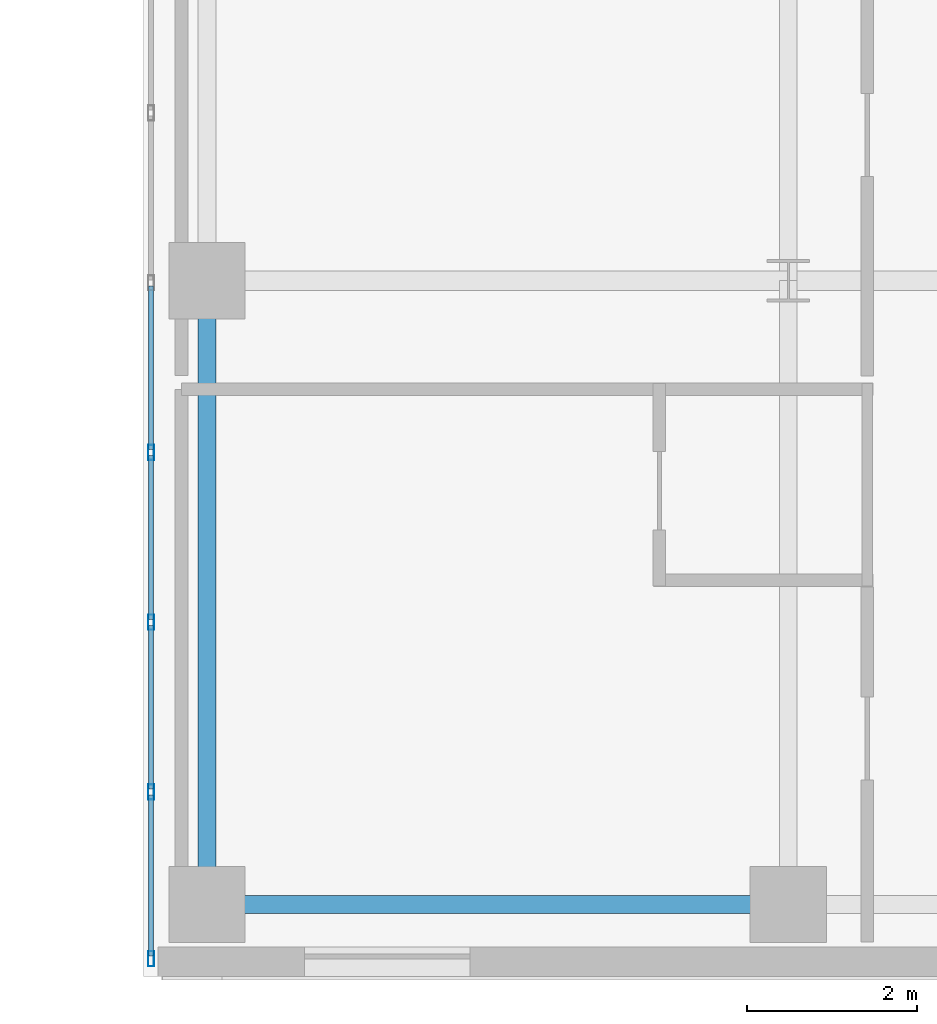
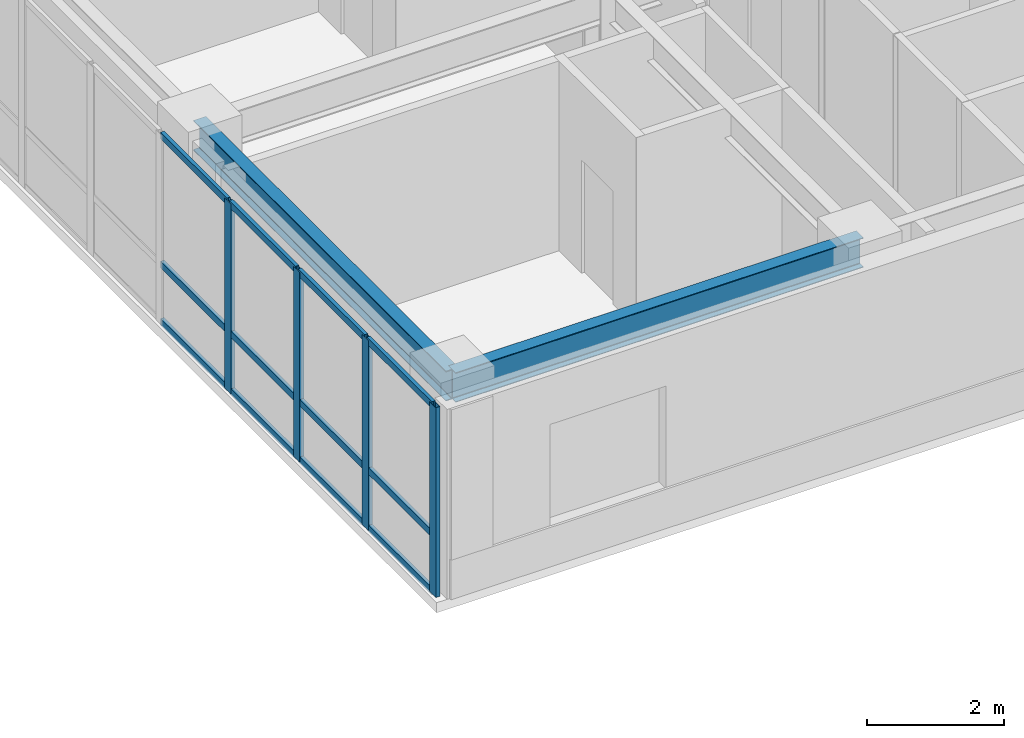
# One storey, part 7 of 25: 16 members, 2 beams, 1 element without a shape of its own.
"""IFC4 building model written with IfcOpenShell, lengths in metres."""

from ifc_helpers import new_model, si_unit, direction, frame, origin, origin_2d, place, context, subcontext, project, spatial, hollow_rectangle, i_section, extrude, source, transform, mapped, material, layer, layer_set, material_profile, profile_set, type_object, type_shapes, element, aggregate, save


model = new_model("IFC4")

# Units and contexts
model_context = context("Model", 3, precision=1e-05, world=origin(), true_north=direction((0.0, 1.0)))
body_context = subcontext(model_context, "Body", "Model", "MODEL_VIEW")
ifc_project = project(units=[si_unit("LENGTHUNIT", "METRE"), si_unit("AREAUNIT", "SQUARE_METRE"), si_unit("VOLUMEUNIT", "CUBIC_METRE"), si_unit("PLANEANGLEUNIT", "RADIAN"), si_unit("MASSUNIT", "GRAM", prefix="KILO")], contexts=[model_context])

# Site, building, storey
site_placement = place(None, origin())
site = spatial("IfcSite", under=ifc_project, at=site_placement, CompositionType="ELEMENT")
building_placement = place(site_placement, origin())
building = spatial("IfcBuilding", under=site, at=building_placement, Name="Tolvann Quenvar Hotel", CompositionType="ELEMENT")
storey_placement = place(building_placement, frame((0.0, 0.0, 111.550048828125)))
storey = spatial("IfcBuildingStorey", under=building, at=storey_placement, Name="L28", CompositionType="ELEMENT", Elevation=111.550048828125)

# Beams
ifc_material_1 = material(Name="Steel Grade 350", Category="steel")
ifc_material_profile_1 = material_profile(ifc_material_1, i_section(OverallWidth=0.208984375, OverallDepth=0.528076171875, WebThickness=0.009521484375, FlangeThickness=0.01318359375, FilletRadius=0.013916015625, at=origin_2d()), Name="530UB82")
ifc_profile_set_1 = profile_set([ifc_material_profile_1], Name="Steel Grade 350")
beam_type_1 = type_object("IfcBeamType", Name="BM_SPAND_530UB82", PredefinedType="SPANDREL", material=ifc_profile_set_1)
shared_shape_1 = source(origin(), body_context, "Body", "SweptSolid", [
    extrude(i_section(OverallWidth=0.208984375, OverallDepth=0.528076171875, WebThickness=0.009521484375, FlangeThickness=0.01318359375, FilletRadius=0.013916015625, at=origin_2d()), origin(), (0.0, 0.0, 1.0), 6.85009765625),
])
type_shapes(beam_type_1, [shared_shape_1])
beam_1_placement = place(storey_placement, frame((34.949951171875, 0.85009765625, 3.10595703125), z_axis=(1.0, 0.0, 0.0), x_axis=(0.0, 1.0, 0.0)))
element("IfcBeam", 1, at=beam_1_placement, inside=storey, type_object=beam_type_1, Name="BM-L28-EW-2-F2-H2", PredefinedType="SPANDREL", context=body_context, shape_type="MappedRepresentation", body=[
    mapped(shared_shape_1, transform((0.0, 0.0, 0.0), x_axis=(1.0, 0.0, 0.0), y_axis=(0.0, 1.0, 0.0), z_axis=(0.0, 0.0, 1.0), scale=1.0)),
])
ifc_material_profile_2 = material_profile(ifc_material_1, i_section(OverallWidth=0.208984375, OverallDepth=0.532958984375, WebThickness=0.01025390625, FlangeThickness=0.015625, FilletRadius=0.013916015625, at=origin_2d()), Name="530UB92")
ifc_profile_set_2 = profile_set([ifc_material_profile_2], Name="Steel Grade 350")
beam_type_2 = type_object("IfcBeamType", Name="BM_GIRD_530UB92", PredefinedType="BEAM", material=ifc_profile_set_2)
shared_shape_2 = source(origin(), body_context, "Body", "SweptSolid", [
    extrude(i_section(OverallWidth=0.208984375, OverallDepth=0.532958984375, WebThickness=0.01025390625, FlangeThickness=0.015625, FilletRadius=0.013916015625, at=origin_2d()), origin(), (0.0, 0.0, 1.0), 7.349853515625),
])
type_shapes(beam_type_2, [shared_shape_2])
beam_2_placement = place(storey_placement, frame((34.949951171875, 0.85009765625, 3.103515625), z_axis=(0.0, 1.0, 0.0), x_axis=(-1.0, 0.0, 0.0)))
element("IfcBeam", 2, at=beam_2_placement, inside=storey, type_object=beam_type_2, Name="BM-L28-NS-F2-F3", PredefinedType="BEAM", context=body_context, shape_type="MappedRepresentation", body=[
    mapped(shared_shape_2, transform((0.0, 0.0, 0.0), x_axis=(1.0, 0.0, 0.0), y_axis=(0.0, 1.0, 0.0), z_axis=(0.0, 0.0, 1.0), scale=1.0)),
])

# Curtain wall, members
ifc_material_2 = material(Name="Thermally broken anodised architectural aluminium 6063-T6 and laminated low-E glass", Category="aluminium")
ifc_layer = layer(ifc_material_2, 0.179931640625)
ifc_layer_set = layer_set([ifc_layer], Name="Thermally broken anodised architectural aluminium 6063-T6 and laminated low-E glass")
curtain_wall_type = type_object("IfcCurtainWallType", Name="CW_SYS_SLOT_03", PredefinedType="USERDEFINED", material=ifc_layer_set)
curtain_wall_placement = place(storey_placement, origin())
curtain_wall = element("IfcCurtainWall", 3, at=curtain_wall_placement, inside=storey, type_object=curtain_wall_type, Name="Curtain Wall CW-SLOT-03 (CWR-L28-E07)", ObjectType="UNITISED CURTAIN WALL", PredefinedType="USERDEFINED")
ifc_material_3 = material(Name="Anodised architectural aluminium 6063-T6 framing", Category="aluminium")
ifc_material_profile_3 = material_profile(ifc_material_3, hollow_rectangle(XDim=0.06005859375, YDim=0.1201171875, WallThickness=0.00341796875, at=origin_2d()), Name="120x60x3.5RHS")
ifc_profile_set_3 = profile_set([ifc_material_profile_3], Name="Anodised architectural aluminium 6063-T6 framing")
member_type_1 = type_object("IfcMemberType", Name="CW_TRAN_120x60", PredefinedType="USERDEFINED", material=ifc_profile_set_3)
shared_shape_3 = source(origin(), body_context, "Body", "SweptSolid", [
    extrude(hollow_rectangle(XDim=0.06005859375, YDim=0.1201171875, WallThickness=0.00341796875, at=origin_2d()), origin(), (0.0, 0.0, 1.0), 1.894775390625),
])
member_1_placement = place(storey_placement, frame((34.2900390625, 2.139892578125, 0.030029296875), z_axis=(0.0, -1.0, 0.0), x_axis=(1.0, 0.0, 0.0)))
member_1 = element("IfcMember", 4, at=member_1_placement, type_object=member_type_1, Name="CW-SLOT-03 transom 8.1", ObjectType="TRANSOM", PredefinedType="USERDEFINED", context=body_context, shape_type="MappedRepresentation", body=[
    mapped(shared_shape_3, transform((0.0, 0.0, 0.0), x_axis=(1.0, 0.0, 0.0), y_axis=(0.0, 1.0, 0.0), z_axis=(0.0, 0.0, 1.0), scale=1.0)),
])
member_2_placement = place(storey_placement, frame((34.2900390625, 2.139892578125, 1.050048828125), z_axis=(0.0, -1.0, 0.0), x_axis=(1.0, 0.0, 0.0)))
member_2 = element("IfcMember", 5, at=member_2_placement, type_object=member_type_1, Name="CW-SLOT-03 transom 8.2", ObjectType="TRANSOM", PredefinedType="USERDEFINED", context=body_context, shape_type="MappedRepresentation", body=[
    mapped(shared_shape_3, transform((0.0, 0.0, 0.0), x_axis=(1.0, 0.0, 0.0), y_axis=(0.0, 1.0, 0.0), z_axis=(0.0, 0.0, 1.0), scale=1.0)),
])
member_3_placement = place(storey_placement, frame((34.2900390625, 2.139892578125, 3.33984375), z_axis=(0.0, -1.0, 0.0), x_axis=(1.0, 0.0, 0.0)))
member_3 = element("IfcMember", 6, at=member_3_placement, type_object=member_type_1, Name="CW-SLOT-03 transom 8.3", ObjectType="TRANSOM", PredefinedType="USERDEFINED", context=body_context, shape_type="MappedRepresentation", body=[
    mapped(shared_shape_3, transform((0.0, 0.0, 0.0), x_axis=(1.0, 0.0, 0.0), y_axis=(0.0, 1.0, 0.0), z_axis=(0.0, 0.0, 1.0), scale=1.0)),
])
shared_shape_4 = source(origin(), body_context, "Body", "SweptSolid", [
    extrude(hollow_rectangle(XDim=0.06005859375, YDim=0.1201171875, WallThickness=0.00341796875, at=origin_2d()), origin(), (0.0, 0.0, 1.0), 1.929931640625),
])
type_shapes(member_type_1, [shared_shape_3, shared_shape_4])
member_4_placement = place(storey_placement, frame((34.2900390625, 8.139892578125, 0.030029296875), z_axis=(0.0, -1.0, 0.0), x_axis=(1.0, 0.0, 0.0)))
member_4 = element("IfcMember", 7, at=member_4_placement, type_object=member_type_1, Name="CW-SLOT-03 transom 5.1", ObjectType="TRANSOM", PredefinedType="USERDEFINED", context=body_context, shape_type="MappedRepresentation", body=[
    mapped(shared_shape_4, transform((0.0, 0.0, 0.0), x_axis=(1.0, 0.0, 0.0), y_axis=(0.0, 1.0, 0.0), z_axis=(0.0, 0.0, 1.0), scale=1.0)),
])
member_5_placement = place(storey_placement, frame((34.2900390625, 8.139892578125, 1.050048828125), z_axis=(0.0, -1.0, 0.0), x_axis=(1.0, 0.0, 0.0)))
member_5 = element("IfcMember", 8, at=member_5_placement, type_object=member_type_1, Name="CW-SLOT-03 transom 5.2", ObjectType="TRANSOM", PredefinedType="USERDEFINED", context=body_context, shape_type="MappedRepresentation", body=[
    mapped(shared_shape_4, transform((0.0, 0.0, 0.0), x_axis=(1.0, 0.0, 0.0), y_axis=(0.0, 1.0, 0.0), z_axis=(0.0, 0.0, 1.0), scale=1.0)),
])
member_6_placement = place(storey_placement, frame((34.2900390625, 8.139892578125, 3.33984375), z_axis=(0.0, -1.0, 0.0), x_axis=(1.0, 0.0, 0.0)))
member_6 = element("IfcMember", 9, at=member_6_placement, type_object=member_type_1, Name="CW-SLOT-03 transom 5.3", ObjectType="TRANSOM", PredefinedType="USERDEFINED", context=body_context, shape_type="MappedRepresentation", body=[
    mapped(shared_shape_4, transform((0.0, 0.0, 0.0), x_axis=(1.0, 0.0, 0.0), y_axis=(0.0, 1.0, 0.0), z_axis=(0.0, 0.0, 1.0), scale=1.0)),
])
member_7_placement = place(storey_placement, frame((34.2900390625, 6.139892578125, 0.030029296875), z_axis=(0.0, -1.0, 0.0), x_axis=(1.0, 0.0, 0.0)))
member_7 = element("IfcMember", 10, at=member_7_placement, type_object=member_type_1, Name="CW-SLOT-03 transom 6.1", ObjectType="TRANSOM", PredefinedType="USERDEFINED", context=body_context, shape_type="MappedRepresentation", body=[
    mapped(shared_shape_4, transform((0.0, 0.0, 0.0), x_axis=(1.0, 0.0, 0.0), y_axis=(0.0, 1.0, 0.0), z_axis=(0.0, 0.0, 1.0), scale=1.0)),
])
member_8_placement = place(storey_placement, frame((34.2900390625, 6.139892578125, 1.050048828125), z_axis=(0.0, -1.0, 0.0), x_axis=(1.0, 0.0, 0.0)))
member_8 = element("IfcMember", 11, at=member_8_placement, type_object=member_type_1, Name="CW-SLOT-03 transom 6.2", ObjectType="TRANSOM", PredefinedType="USERDEFINED", context=body_context, shape_type="MappedRepresentation", body=[
    mapped(shared_shape_4, transform((0.0, 0.0, 0.0), x_axis=(1.0, 0.0, 0.0), y_axis=(0.0, 1.0, 0.0), z_axis=(0.0, 0.0, 1.0), scale=1.0)),
])
member_9_placement = place(storey_placement, frame((34.2900390625, 6.139892578125, 3.33984375), z_axis=(0.0, -1.0, 0.0), x_axis=(1.0, 0.0, 0.0)))
member_9 = element("IfcMember", 12, at=member_9_placement, type_object=member_type_1, Name="CW-SLOT-03 transom 6.3", ObjectType="TRANSOM", PredefinedType="USERDEFINED", context=body_context, shape_type="MappedRepresentation", body=[
    mapped(shared_shape_4, transform((0.0, 0.0, 0.0), x_axis=(1.0, 0.0, 0.0), y_axis=(0.0, 1.0, 0.0), z_axis=(0.0, 0.0, 1.0), scale=1.0)),
])
member_10_placement = place(storey_placement, frame((34.2900390625, 4.139892578125, 0.030029296875), z_axis=(0.0, -1.0, 0.0), x_axis=(1.0, 0.0, 0.0)))
member_10 = element("IfcMember", 13, at=member_10_placement, type_object=member_type_1, Name="CW-SLOT-03 transom 7.1", ObjectType="TRANSOM", PredefinedType="USERDEFINED", context=body_context, shape_type="MappedRepresentation", body=[
    mapped(shared_shape_4, transform((0.0, 0.0, 0.0), x_axis=(1.0, 0.0, 0.0), y_axis=(0.0, 1.0, 0.0), z_axis=(0.0, 0.0, 1.0), scale=1.0)),
])
member_11_placement = place(storey_placement, frame((34.2900390625, 4.139892578125, 1.050048828125), z_axis=(0.0, -1.0, 0.0), x_axis=(1.0, 0.0, 0.0)))
member_11 = element("IfcMember", 14, at=member_11_placement, type_object=member_type_1, Name="CW-SLOT-03 transom 7.2", ObjectType="TRANSOM", PredefinedType="USERDEFINED", context=body_context, shape_type="MappedRepresentation", body=[
    mapped(shared_shape_4, transform((0.0, 0.0, 0.0), x_axis=(1.0, 0.0, 0.0), y_axis=(0.0, 1.0, 0.0), z_axis=(0.0, 0.0, 1.0), scale=1.0)),
])
member_12_placement = place(storey_placement, frame((34.2900390625, 4.139892578125, 3.33984375), z_axis=(0.0, -1.0, 0.0), x_axis=(1.0, 0.0, 0.0)))
member_12 = element("IfcMember", 15, at=member_12_placement, type_object=member_type_1, Name="CW-SLOT-03 transom 7.3", ObjectType="TRANSOM", PredefinedType="USERDEFINED", context=body_context, shape_type="MappedRepresentation", body=[
    mapped(shared_shape_4, transform((0.0, 0.0, 0.0), x_axis=(1.0, 0.0, 0.0), y_axis=(0.0, 1.0, 0.0), z_axis=(0.0, 0.0, 1.0), scale=1.0)),
])
ifc_material_profile_4 = material_profile(ifc_material_3, hollow_rectangle(XDim=0.070068359375, YDim=0.179931640625, WallThickness=0.00390625, at=origin_2d()), Name="180x70x4RHS")
ifc_profile_set_4 = profile_set([ifc_material_profile_4], Name="Anodised architectural aluminium 6063-T6 framing")
member_type_2 = type_object("IfcMemberType", Name="CW_MULL_180x70", PredefinedType="MULLION", material=ifc_profile_set_4)
shared_shape_5 = source(origin(), body_context, "Body", "SweptSolid", [
    extrude(hollow_rectangle(XDim=0.070068359375, YDim=0.179931640625, WallThickness=0.00390625, at=origin_2d()), origin(), (0.0, 0.0, 1.0), 3.369873046875),
])
type_shapes(member_type_2, [shared_shape_5])
member_13_placement = place(storey_placement, frame((34.2900390625, 6.175048828125, 0.0), z_axis=(0.0, 0.0, 1.0), x_axis=(1.0, 0.0, 0.0)))
member_13 = element("IfcMember", 16, at=member_13_placement, type_object=member_type_2, Name="CW-SLOT-03 mullion 6", PredefinedType="MULLION", context=body_context, shape_type="MappedRepresentation", body=[
    mapped(shared_shape_5, transform((0.0, 0.0, 0.0), x_axis=(1.0, 0.0, 0.0), y_axis=(0.0, 1.0, 0.0), z_axis=(0.0, 0.0, 1.0), scale=1.0)),
])
member_14_placement = place(storey_placement, frame((34.2900390625, 4.175048828125, 0.0), z_axis=(0.0, 0.0, 1.0), x_axis=(1.0, 0.0, 0.0)))
member_14 = element("IfcMember", 17, at=member_14_placement, type_object=member_type_2, Name="CW-SLOT-03 mullion 7", PredefinedType="MULLION", context=body_context, shape_type="MappedRepresentation", body=[
    mapped(shared_shape_5, transform((0.0, 0.0, 0.0), x_axis=(1.0, 0.0, 0.0), y_axis=(0.0, 1.0, 0.0), z_axis=(0.0, 0.0, 1.0), scale=1.0)),
])
member_15_placement = place(storey_placement, frame((34.2900390625, 2.175048828125, 0.0), z_axis=(0.0, 0.0, 1.0), x_axis=(1.0, 0.0, 0.0)))
member_15 = element("IfcMember", 18, at=member_15_placement, type_object=member_type_2, Name="CW-SLOT-03 mullion 8", PredefinedType="MULLION", context=body_context, shape_type="MappedRepresentation", body=[
    mapped(shared_shape_5, transform((0.0, 0.0, 0.0), x_axis=(1.0, 0.0, 0.0), y_axis=(0.0, 1.0, 0.0), z_axis=(0.0, 0.0, 1.0), scale=1.0)),
])
member_16_placement = place(storey_placement, frame((34.2900390625, 0.2099609375, 0.0), z_axis=(0.0, 0.0, 1.0), x_axis=(1.0, 0.0, 0.0)))
member_16 = element("IfcMember", 19, at=member_16_placement, type_object=member_type_2, Name="CW-SLOT-03 mullion 9", PredefinedType="MULLION", context=body_context, shape_type="MappedRepresentation", body=[
    mapped(shared_shape_5, transform((0.0, 0.0, 0.0), x_axis=(1.0, 0.0, 0.0), y_axis=(0.0, 1.0, 0.0), z_axis=(0.0, 0.0, 1.0), scale=1.0)),
])
aggregate(curtain_wall, [member_13, member_14, member_15, member_16, member_4, member_5, member_6, member_7, member_8, member_9, member_10, member_11, member_12, member_1, member_2, member_3])

save(model, "model.ifc")
